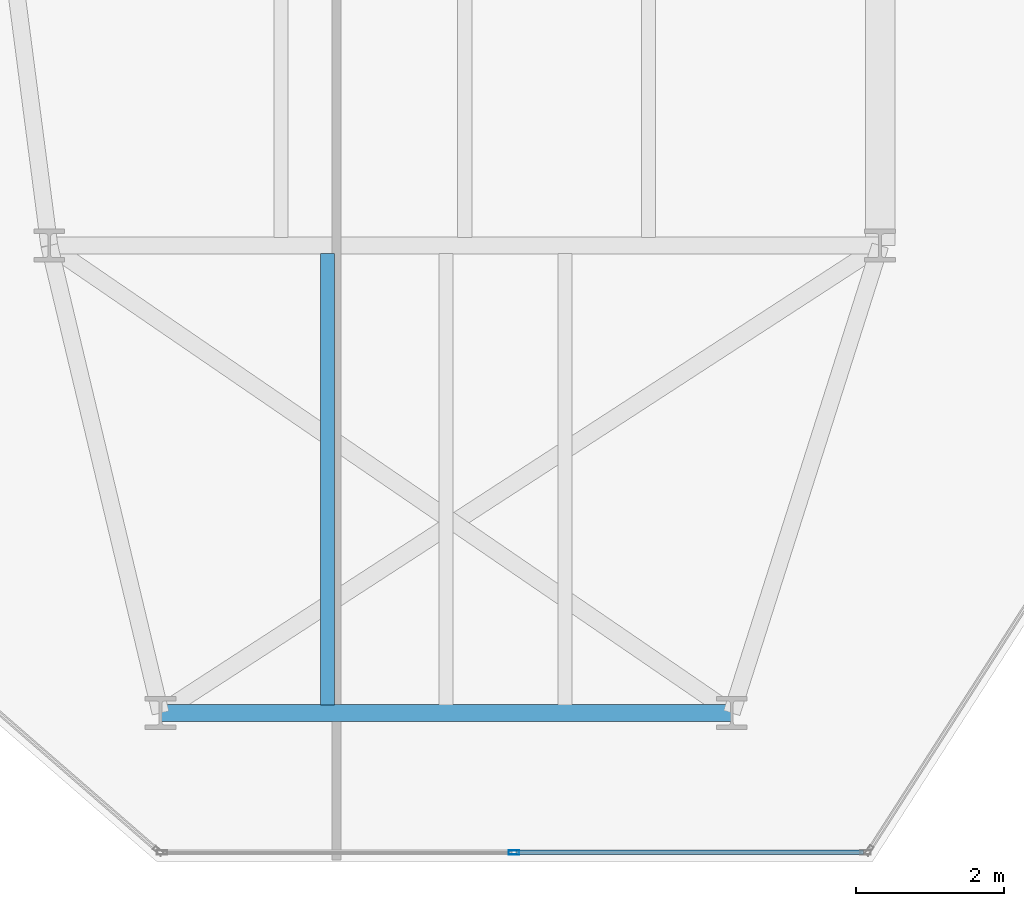
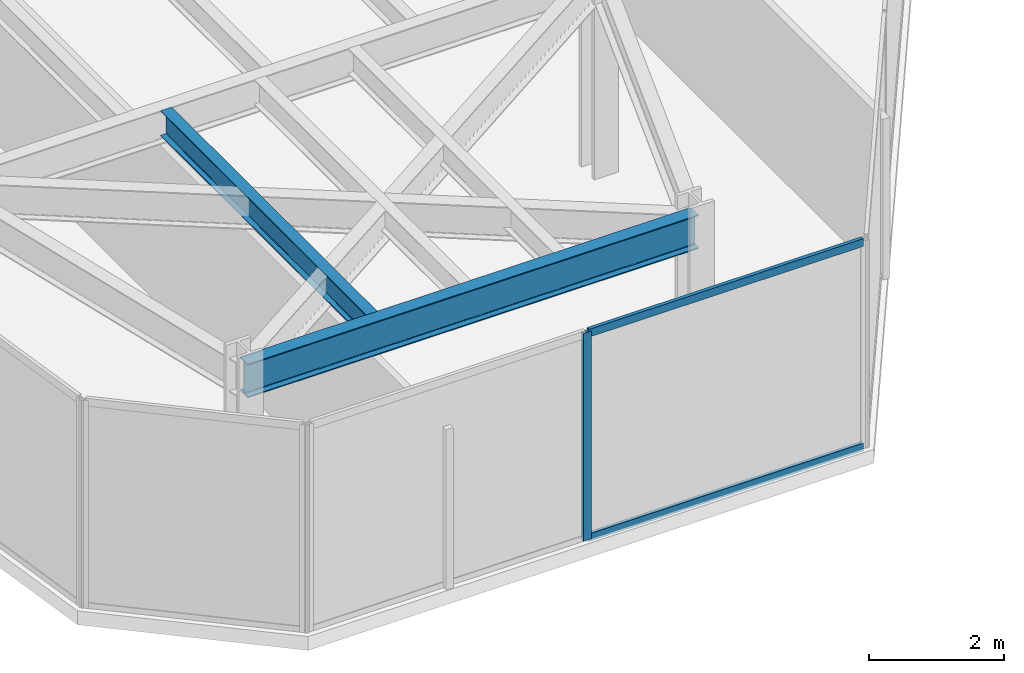
# One storey, part 3 of 26: 3 members, 2 beams, 1 element without a shape of its own.
"""IFC4 building model written with IfcOpenShell, lengths in metres."""

from ifc_helpers import new_model, si_unit, direction, frame, origin, origin_2d, place, context, subcontext, project, spatial, hollow_rectangle, i_section, extrude, material, layer, layer_set, material_profile, profile_set, type_object, element, aggregate, save


model = new_model("IFC4")

# Units and contexts
model_context = context("Model", 3, precision=1e-05, world=origin(), true_north=direction((0.0, 1.0)))
body_context = subcontext(model_context, "Body", "Model", "MODEL_VIEW")
ifc_project = project(units=[si_unit("LENGTHUNIT", "METRE"), si_unit("AREAUNIT", "SQUARE_METRE"), si_unit("VOLUMEUNIT", "CUBIC_METRE"), si_unit("PLANEANGLEUNIT", "RADIAN"), si_unit("MASSUNIT", "GRAM", prefix="KILO")], contexts=[model_context])

# Site, building, storey
site_placement = place(None, origin())
site = spatial("IfcSite", under=ifc_project, at=site_placement, CompositionType="ELEMENT")
building_placement = place(site_placement, origin())
building = spatial("IfcBuilding", under=site, at=building_placement, Name="Kravanh Interchange Tower", CompositionType="ELEMENT")
storey_placement = place(building_placement, frame((0.0, 0.0, 128.0)))
storey = spatial("IfcBuildingStorey", under=building, at=storey_placement, Name="L30", CompositionType="ELEMENT", Elevation=128.0)

# Curtain wall, members
ifc_material_1 = material(Name="Anodised Bronze Aluminium", Category="aluminium")
ifc_layer = layer(ifc_material_1, 0.179931640625)
ifc_layer_set = layer_set([ifc_layer], Name="Unitised Curtain Wall System CW-Z2 Mid Office")
curtain_wall_type = type_object("IfcCurtainWallType", Name="Unitised Curtain Wall System CW-Z2 Mid Office", PredefinedType="NOTDEFINED", material=ifc_layer_set)
curtain_wall_placement = place(storey_placement, origin())
curtain_wall = element("IfcCurtainWall", 1, at=curtain_wall_placement, inside=storey, type_object=curtain_wall_type, Name="L30 Unitised Curtain Wall CW-L30-06", PredefinedType="NOTDEFINED")
ifc_material_2 = material(Name="Anodised Bronze Aluminium", Category="aluminium")
ifc_material_profile_1 = material_profile(ifc_material_2, hollow_rectangle(XDim=0.06005859375, YDim=0.139892578125, WallThickness=0.00390625, at=origin_2d()), Name="ALU60X140X4")
ifc_profile_set_1 = profile_set([ifc_material_profile_1], Name="Anodised Bronze Aluminium")
member_type_1 = type_object("IfcMemberType", Name="Curtain Wall Mullion ALU60X140X4 Bronze", PredefinedType="MULLION", material=ifc_profile_set_1)
member_1_placement = place(storey_placement, frame((22.26220703125, 6.320068359375, 0.0), z_axis=(0.0, 0.0, 1.0), x_axis=(0.0, -1.0, 0.0)))
member_1 = element("IfcMember", 2, at=member_1_placement, type_object=member_type_1, Name="CW-Z2 mullion 2", PredefinedType="MULLION", context=body_context, shape_type="SweptSolid", body=[
    extrude(hollow_rectangle(XDim=0.06005859375, YDim=0.139892578125, WallThickness=0.00390625, at=origin_2d()), origin(), (0.0, 0.0, 1.0), 3.75),
])
ifc_material_3 = material(Name="Anodised Bronze Aluminium", Category="aluminium")
ifc_material_profile_2 = material_profile(ifc_material_3, hollow_rectangle(XDim=0.06005859375, YDim=0.139892578125, WallThickness=0.00390625, at=origin_2d()), Name="ALU60X140X4")
ifc_profile_set_2 = profile_set([ifc_material_profile_2], Name="Anodised Bronze Aluminium")
member_type_2 = type_object("IfcMemberType", Name="Curtain Wall Transom ALU60X140X4 Bronze", PredefinedType="USERDEFINED", material=ifc_profile_set_2)
member_2_placement = place(storey_placement, frame((26.974365234375, 6.320068359375, 0.030029296875), z_axis=(-1.0, 0.0, 0.0), x_axis=(0.0, -1.0, 0.0)))
member_2 = element("IfcMember", 3, at=member_2_placement, type_object=member_type_2, Name="CW-Z2 transom 1.1", ObjectType="TRANSOM", PredefinedType="USERDEFINED", context=body_context, shape_type="SweptSolid", body=[
    extrude(hollow_rectangle(XDim=0.06005859375, YDim=0.139892578125, WallThickness=0.00390625, at=origin_2d()), origin(), (0.0, 0.0, 1.0), 4.682373046875),
])
member_3_placement = place(storey_placement, frame((26.974365234375, 6.320068359375, 3.719970703125), z_axis=(-1.0, 0.0, 0.0), x_axis=(0.0, -1.0, 0.0)))
member_3 = element("IfcMember", 4, at=member_3_placement, type_object=member_type_2, Name="CW-Z2 transom 1.2", ObjectType="TRANSOM", PredefinedType="USERDEFINED", context=body_context, shape_type="SweptSolid", body=[
    extrude(hollow_rectangle(XDim=0.06005859375, YDim=0.139892578125, WallThickness=0.00390625, at=origin_2d()), origin(), (0.0, 0.0, 1.0), 4.682373046875),
])
aggregate(curtain_wall, [member_1, member_2, member_3])

# Beams
ifc_material_4 = material(Name="Structural Steel S355", Category="steel")
ifc_material_profile_3 = material_profile(ifc_material_4, i_section(OverallWidth=0.18994140625, OverallDepth=0.45703125, WebThickness=0.009033203125, FlangeThickness=0.014404296875, FilletRadius=0.01806640625, at=origin_2d()), Name="W18X50")
ifc_profile_set_3 = profile_set([ifc_material_profile_3], Name="Structural Steel S355")
beam_type_1 = type_object("IfcBeamType", Name="Floor Joist W18X50 Structural Steel S355", PredefinedType="JOIST", material=ifc_profile_set_3)
beam_1_placement = place(storey_placement, frame((19.75, 8.30908203125, 3.521484375), z_axis=(0.0, 1.0, 0.0), x_axis=(-1.0, 0.0, 0.0)))
element("IfcBeam", 5, at=beam_1_placement, inside=storey, type_object=beam_type_1, Name="L30 Secondary Floor Joist 1", PredefinedType="JOIST", context=body_context, shape_type="SweptSolid", body=[
    extrude(i_section(OverallWidth=0.18994140625, OverallDepth=0.45703125, WebThickness=0.009033203125, FlangeThickness=0.014404296875, FilletRadius=0.01806640625, at=origin_2d()), origin(), (0.0, 0.0, 1.0), 6.08203125),
])
ifc_material_5 = material(Name="Structural Steel S355", Category="steel")
ifc_material_profile_4 = material_profile(ifc_material_5, i_section(OverallWidth=0.22802734375, OverallDepth=0.60791015625, WebThickness=0.01123046875, FlangeThickness=0.017333984375, FilletRadius=0.02197265625, at=origin_2d()), Name="W24X76")
ifc_profile_set_4 = profile_set([ifc_material_profile_4], Name="Structural Steel S355")
beam_type_2 = type_object("IfcBeamType", Name="Floor Spandrel W24X76 Structural Steel S355", PredefinedType="SPANDREL", material=ifc_profile_set_4)
beam_2_placement = place(storey_placement, frame((17.5, 8.199951171875, 3.446044921875), z_axis=(1.0, 0.0, 0.0), x_axis=(0.0, 1.0, 0.0)))
element("IfcBeam", 6, at=beam_2_placement, inside=storey, type_object=beam_type_2, Name="L30 Perimeter Spandrel 35", PredefinedType="SPANDREL", context=body_context, shape_type="SweptSolid", body=[
    extrude(i_section(OverallWidth=0.22802734375, OverallDepth=0.60791015625, WebThickness=0.01123046875, FlangeThickness=0.017333984375, FilletRadius=0.02197265625, at=origin_2d()), origin(), (0.0, 0.0, 1.0), 7.699951171875),
])

save(model, "model.ifc")
